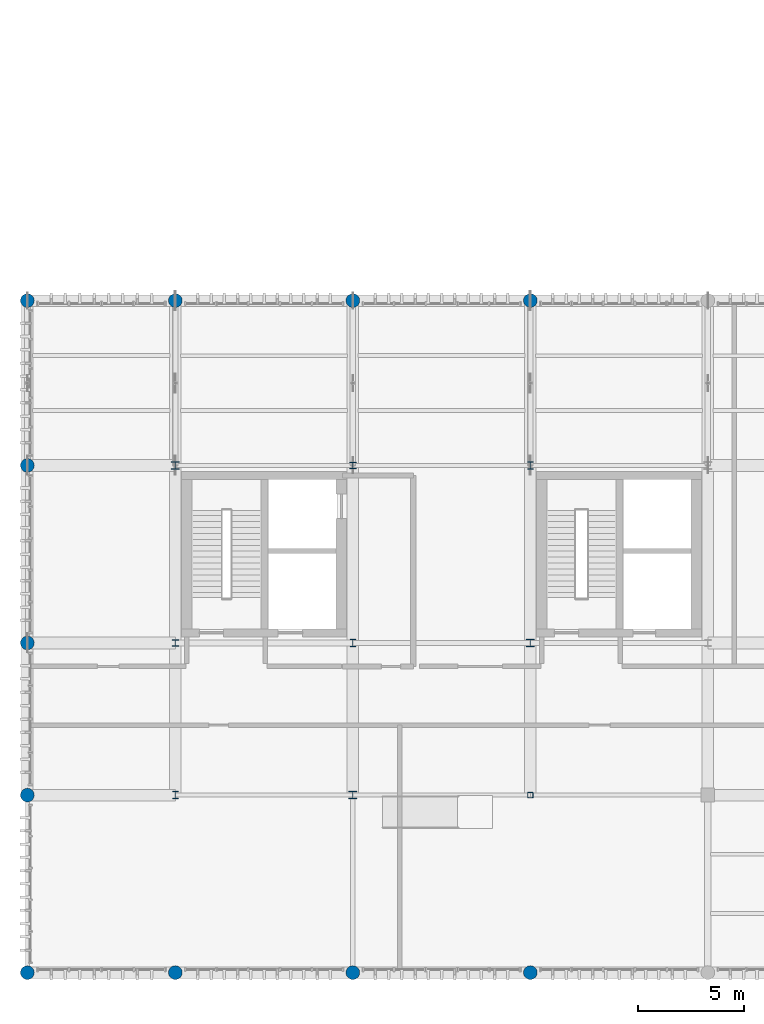
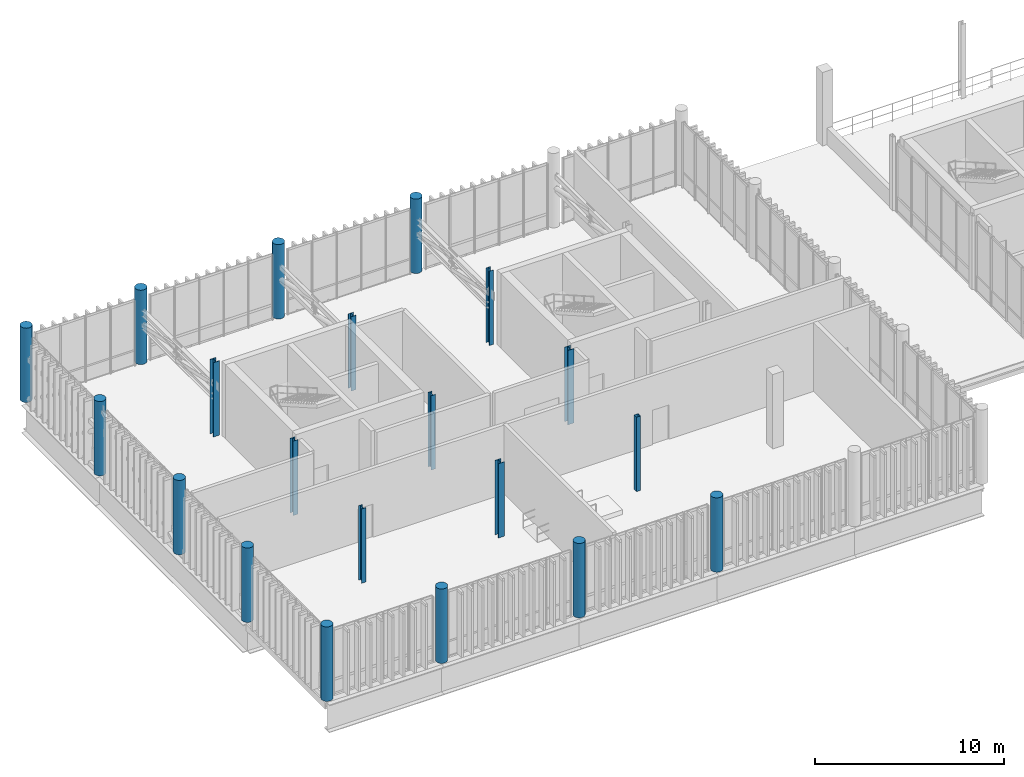
# One storey, part 1 of 81: 20 columns.
"""IFC4 building model written with IfcOpenShell, lengths in metres."""

from ifc_helpers import new_model, si_unit, direction, frame, origin_with_axes, origin_2d_with_axis, place, context, subcontext, project, spatial, hollow_rectangle, circle, i_section, extrude, material, material_profile, profile_set, type_object, element, save


model = new_model("IFC4")

# Units and contexts
model_context = context("Model", 3, precision=1e-05, world=origin_with_axes(), true_north=direction((0.0, 1.0)))
body_context = subcontext(model_context, "Body", "Model", "MODEL_VIEW")
ifc_project = project(units=[si_unit("LENGTHUNIT", "METRE"), si_unit("AREAUNIT", "SQUARE_METRE"), si_unit("VOLUMEUNIT", "CUBIC_METRE"), si_unit("PLANEANGLEUNIT", "RADIAN"), si_unit("MASSUNIT", "GRAM", prefix="KILO"), si_unit("THERMODYNAMICTEMPERATUREUNIT", "KELVIN")], contexts=[model_context])

# Site, building, storey
site_placement = place(None, origin_with_axes())
site = spatial("IfcSite", under=ifc_project, at=site_placement, CompositionType="ELEMENT")
building_placement = place(site_placement, origin_with_axes())
building = spatial("IfcBuilding", under=site, at=building_placement, Name="Montbau Bow Law Courts", CompositionType="ELEMENT")
storey_placement = place(building_placement, frame((0.0, 0.0, 24.9), z_axis=(0.0, 0.0, 1.0), x_axis=(1.0, 0.0, 0.0)))
storey = spatial("IfcBuildingStorey", under=building, at=storey_placement, Name="L05", CompositionType="ELEMENT", Elevation=24.9)

# Columns
ifc_material_1 = material(Name="Steel CSA G40.21 Grade 350W (350 MPa)", Category="steel")
ifc_material_profile_1 = material_profile(ifc_material_1, hollow_rectangle(XDim=0.254, YDim=0.254, WallThickness=0.0127, InnerFilletRadius=0.0254, OuterFilletRadius=0.0127, at=origin_2d_with_axis()), Name="HSS254X254X13", Category="Main", Priority=0)
ifc_profile_set_1 = profile_set([ifc_material_profile_1], Name="Steel CSA G40.21 Grade 350W (350 MPa)")
column_type_1 = type_object("IfcColumnType", Name="C-HSS-01", PredefinedType="COLUMN", material=ifc_profile_set_1)
column_placement = place(None, frame((30.6, 39.0, 24.9), z_axis=(0.0, 0.0, 1.0), x_axis=(1.0, 0.0, 0.0)))
element("IfcColumn", 1, at=column_placement, inside=storey, type_object=column_type_1, Name="C-L05-S0851:col2_0851", PredefinedType="COLUMN", context=body_context, shape_type="SweptSolid", body=[
    extrude(hollow_rectangle(XDim=0.254, YDim=0.254, WallThickness=0.0127, InnerFilletRadius=0.0254, OuterFilletRadius=0.0127, at=origin_2d_with_axis()), origin_with_axes(), (0.0, 0.0, 1.0), 4.8),
])
ifc_material_2 = material(Name="Concrete CSA A23.1 f'c 40 MPa", Category="concrete")
ifc_material_profile_2 = material_profile(ifc_material_2, circle(Radius=0.325, at=origin_2d_with_axis()), Name="RC650D", Category="Main", Priority=0)
ifc_profile_set_2 = profile_set([ifc_material_profile_2], Name="Concrete CSA A23.1 f'c 40 MPa")
column_type_2 = type_object("IfcColumnType", Name="C-RC-08", PredefinedType="COLUMN", material=ifc_profile_set_2)
for number, where, z_axis, x_axis, name in (
    (2, (6.8, 30.6, 24.9), (0.0, 0.0, 1.0), (1.0, 0.0, 0.0), "C-L05-S0835:col2_0835"),
    (3, (6.8, 39.0, 24.9), (0.0, 0.0, 1.0), (1.0, 0.0, 0.0), "C-L05-S0836:col2_0836"),
    (4, (6.8, 46.2, 24.9), (0.0, 0.0, 1.0), (1.0, 0.0, 0.0), "C-L05-S0837:col2_0837"),
    (5, (6.8, 54.6, 24.9), (0.0, 0.0, 1.0), (1.0, 0.0, 0.0), "C-L05-S0838:col2_0838"),
    (6, (6.8, 62.4, 24.9), (0.0, 0.0, 1.0), (1.0, 0.0, 0.0), "C-L05-S0839:col2_0839"),
    (7, (13.8, 30.6, 24.9), (0.0, 0.0, 1.0), (1.0, 0.0, 0.0), "C-L05-S0840:col2_0840"),
    (8, (13.8, 62.4, 24.9), (0.0, 0.0, 1.0), (1.0, 0.0, 0.0), "C-L05-S0844:col2_0844"),
    (9, (22.2, 30.6, 24.9), (0.0, 0.0, 1.0), (1.0, 0.0, 0.0), "C-L05-S0845:col2_0845"),
    (10, (22.2, 62.4, 24.9), (0.0, 0.0, 1.0), (1.0, 0.0, 0.0), "C-L05-S0849:col2_0849"),
    (11, (30.6, 30.6, 24.9), (0.0, 0.0, 1.0), (1.0, 0.0, 0.0), "C-L05-S0850:col2_0850"),
    (12, (30.6, 62.4, 24.9), (0.0, 0.0, 1.0), (1.0, 0.0, 0.0), "C-L05-S0854:col2_0854"),
):
    element("IfcColumn", number, at=place(None, frame(where, z_axis=z_axis, x_axis=x_axis)), inside=storey, type_object=column_type_2, Name=name, PredefinedType="COLUMN", context=body_context, shape_type="SweptSolid", body=[
        extrude(circle(Radius=0.325, at=origin_2d_with_axis()), origin_with_axes(), (0.0, 0.0, 1.0), 4.8),
    ])
ifc_material_profile_3 = material_profile(ifc_material_1, i_section(OverallWidth=0.373, OverallDepth=0.368, WebThickness=0.015, FlangeThickness=0.0239, at=origin_2d_with_axis()), Name="W360X179", Category="Main", Priority=0)
ifc_profile_set_3 = profile_set([ifc_material_profile_3], Name="Steel CSA G40.21 Grade 350W (350 MPa)")
column_type_3 = type_object("IfcColumnType", Name="C-STL-04", PredefinedType="COLUMN", material=ifc_profile_set_3)
for number, where, z_axis, x_axis, name in (
    (13, (13.8, 54.6, 24.9), (0.0, 0.0, 1.0), (1.0, 0.0, 0.0), "C-L05-S0843:col2_0843"),
    (14, (22.2, 39.0, 24.9), (0.0, 0.0, 1.0), (1.0, 0.0, 0.0), "C-L05-S0846:col2_0846"),
    (15, (30.6, 46.2, 24.9), (0.0, 0.0, 1.0), (1.0, 0.0, 0.0), "C-L05-S0852:col2_0852"),
):
    element("IfcColumn", number, at=place(None, frame(where, z_axis=z_axis, x_axis=x_axis)), inside=storey, type_object=column_type_3, Name=name, PredefinedType="COLUMN", context=body_context, shape_type="SweptSolid", body=[
        extrude(i_section(OverallWidth=0.373, OverallDepth=0.368, WebThickness=0.015, FlangeThickness=0.0239, at=origin_2d_with_axis()), origin_with_axes(), (0.0, 0.0, 1.0), 4.8),
    ])
ifc_material_profile_4 = material_profile(ifc_material_1, i_section(OverallWidth=0.257, OverallDepth=0.363, WebThickness=0.013, FlangeThickness=0.0217, at=origin_2d_with_axis()), Name="W360X122", Category="Main", Priority=0)
ifc_profile_set_4 = profile_set([ifc_material_profile_4], Name="Steel CSA G40.21 Grade 350W (350 MPa)")
column_type_4 = type_object("IfcColumnType", Name="C-STL-05", PredefinedType="COLUMN", material=ifc_profile_set_4)
for number, where, z_axis, x_axis, name in (
    (16, (13.8, 39.0, 24.9), (0.0, 0.0, 1.0), (1.0, 0.0, 0.0), "C-L05-S0841:col2_0841"),
    (17, (22.2, 46.2, 24.9), (0.0, 0.0, 1.0), (1.0, 0.0, 0.0), "C-L05-S0847:col2_0847"),
    (18, (30.6, 54.6, 24.9), (0.0, 0.0, 1.0), (1.0, 0.0, 0.0), "C-L05-S0853:col2_0853"),
):
    element("IfcColumn", number, at=place(None, frame(where, z_axis=z_axis, x_axis=x_axis)), inside=storey, type_object=column_type_4, Name=name, PredefinedType="COLUMN", context=body_context, shape_type="SweptSolid", body=[
        extrude(i_section(OverallWidth=0.257, OverallDepth=0.363, WebThickness=0.013, FlangeThickness=0.0217, at=origin_2d_with_axis()), origin_with_axes(), (0.0, 0.0, 1.0), 4.8),
    ])
ifc_material_profile_5 = material_profile(ifc_material_1, i_section(OverallWidth=0.309, OverallDepth=0.323, WebThickness=0.014, FlangeThickness=0.0229, at=origin_2d_with_axis()), Name="W310X143", Category="Main", Priority=0)
ifc_profile_set_5 = profile_set([ifc_material_profile_5], Name="Steel CSA G40.21 Grade 350W (350 MPa)")
column_type_5 = type_object("IfcColumnType", Name="C-STL-06", PredefinedType="COLUMN", material=ifc_profile_set_5)
for number, where, z_axis, x_axis, name in (
    (19, (13.8, 46.2, 24.9), (0.0, 0.0, 1.0), (1.0, 0.0, 0.0), "C-L05-S0842:col2_0842"),
    (20, (22.2, 54.6, 24.9), (0.0, 0.0, 1.0), (1.0, 0.0, 0.0), "C-L05-S0848:col2_0848"),
):
    element("IfcColumn", number, at=place(None, frame(where, z_axis=z_axis, x_axis=x_axis)), inside=storey, type_object=column_type_5, Name=name, PredefinedType="COLUMN", context=body_context, shape_type="SweptSolid", body=[
        extrude(i_section(OverallWidth=0.309, OverallDepth=0.323, WebThickness=0.014, FlangeThickness=0.0229, at=origin_2d_with_axis()), origin_with_axes(), (0.0, 0.0, 1.0), 4.8),
    ])

save(model, "model.ifc")
